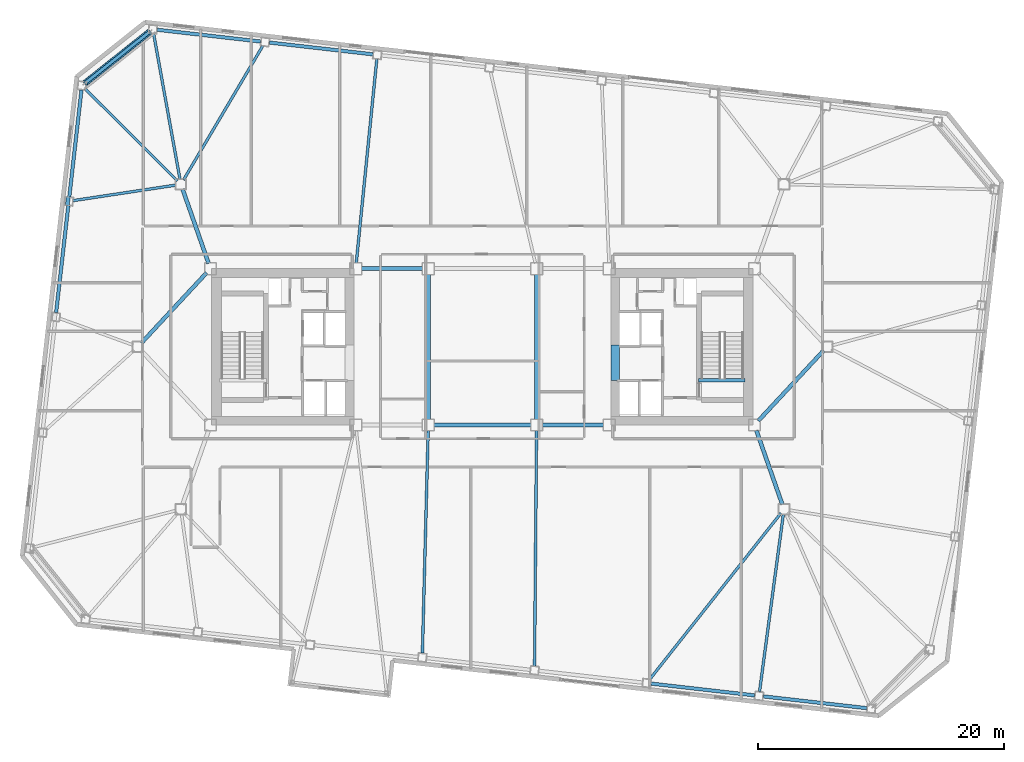
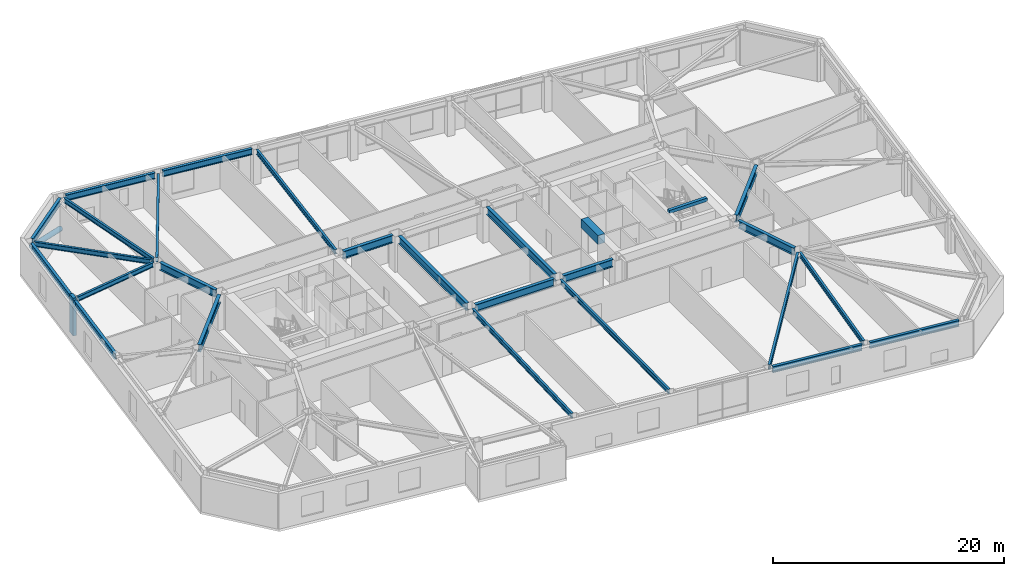
# One storey, part 4 of 19: 27 beams, 2 members.
"""IFC4 building model written with IfcOpenShell, lengths in metres."""

from ifc_helpers import new_model, si_unit, direction, frame, origin, origin_2d, place, context, subcontext, project, spatial, rectangle, hollow_circle, i_section, extrude, material, material_profile, profile_set, type_object, element, save


model = new_model("IFC4")

# Units and contexts
model_context = context("Model", 3, precision=1e-05, world=origin(), true_north=direction((0.0, 1.0)))
body_context = subcontext(model_context, "Body", "Model", "MODEL_VIEW")
ifc_project = project(units=[si_unit("LENGTHUNIT", "METRE"), si_unit("AREAUNIT", "SQUARE_METRE"), si_unit("VOLUMEUNIT", "CUBIC_METRE"), si_unit("PLANEANGLEUNIT", "RADIAN"), si_unit("MASSUNIT", "GRAM", prefix="KILO")], contexts=[model_context])

# Site, building, storey
site_placement = place(None, origin())
site = spatial("IfcSite", under=ifc_project, at=site_placement, CompositionType="ELEMENT")
building_placement = place(site_placement, origin())
building = spatial("IfcBuilding", under=site, at=building_placement, Name="Tavrogorsk Clinical Tower", CompositionType="ELEMENT")
storey_placement = place(building_placement, frame((0.0, 0.0, 101.39990234375)))
storey = spatial("IfcBuildingStorey", under=building, at=storey_placement, Name="L22", CompositionType="ELEMENT", Elevation=101.39990234375)

# Beam
ifc_material_1 = material(Name="Concrete B80", Category="concrete")
ifc_material_profile_1 = material_profile(ifc_material_1, rectangle(XDim=0.699951171875, YDim=0.949951171875, at=origin_2d()), Name="RC-CB-700x950")
ifc_profile_set_1 = profile_set([ifc_material_profile_1], Name="Concrete B80")
beam_type_1 = type_object("IfcBeamType", Name="CouplingBeam_RC700x950", PredefinedType="LINTEL", material=ifc_profile_set_1)
beam_1_placement = place(storey_placement, frame((10.800048828125, -2.75, 3.26513671875), z_axis=(0.0, 1.0, 0.0), x_axis=(-1.0, 0.0, 0.0)))
element("IfcBeam", 1, at=beam_1_placement, inside=storey, type_object=beam_type_1, Name="L22 Core East Coupling Beam", PredefinedType="LINTEL", context=body_context, shape_type="SweptSolid", body=[
    extrude(rectangle(XDim=0.699951171875, YDim=0.949951171875, at=origin_2d()), origin(), (0.0, 0.0, 1.0), 2.89990234375),
])

# Member
ifc_material_2 = material(Name="Structural steel S440", Category="steel")
ifc_material_profile_2 = material_profile(ifc_material_2, hollow_circle(Radius=0.25390625, WallThickness=0.02001953125, at=origin_2d()), Name="CHS-508x20")
ifc_profile_set_2 = profile_set([ifc_material_profile_2], Name="Structural steel S440")
member_type_1 = type_object("IfcMemberType", Name="ExoBrace_CHS508", PredefinedType="BRACE", material=ifc_profile_set_2)
member_1_placement = place(storey_placement, frame((-27.045654296875, 25.592041015625, 0.425048828125), z_axis=(-0.73336936718, -0.583326985798, 0.349140371371), x_axis=(0.622500682662, -0.782619256143, 0.0)))
element("IfcMember", 2, at=member_1_placement, inside=storey, type_object=member_type_1, Name="L22 Corner Exoskeleton Brace N8-W1", PredefinedType="BRACE", context=body_context, shape_type="SweptSolid", body=[
    extrude(hollow_circle(Radius=0.25390625, WallThickness=0.02001953125, at=origin_2d()), origin(), (0.0, 0.0, 1.0), 7.1318359375),
])

# Beams
ifc_material_3 = material(Name="Structural steel S355", Category="steel")
ifc_material_profile_3 = material_profile(ifc_material_3, i_section(OverallWidth=0.219970703125, OverallDepth=0.5, WebThickness=0.012939453125, FlangeThickness=0.02001953125, at=origin_2d()), Name="B-500x220x13x20")
ifc_profile_set_3 = profile_set([ifc_material_profile_3], Name="Structural steel S355")
beam_type_2 = type_object("IfcBeamType", Name="FloorBeam_B500", PredefinedType="BEAM", material=ifc_profile_set_3)
beam_2_placement = place(storey_placement, frame((-4.411865234375, -6.809814453125, 3.489990234375), z_axis=(-0.025907273598, -0.999664350257, 0.0), x_axis=(0.999664350257, -0.025907273598, 0.0)))
element("IfcBeam", 3, at=beam_2_placement, inside=storey, type_object=beam_type_2, Name="L22 Radial Floor Beam S4", PredefinedType="BEAM", context=body_context, shape_type="SweptSolid", body=[
    extrude(i_section(OverallWidth=0.219970703125, OverallDepth=0.5, WebThickness=0.012939453125, FlangeThickness=0.02001953125, at=origin_2d()), origin(), (0.0, 0.0, 1.0), 18.083984375),
])
beam_3_placement = place(storey_placement, frame((4.39599609375, -6.81005859375, 3.489990234375), z_axis=(-0.00859471964, -0.999963064715, 0.0), x_axis=(0.999963064715, -0.00859471964, 0.0)))
element("IfcBeam", 4, at=beam_3_placement, inside=storey, type_object=beam_type_2, Name="L22 Radial Floor Beam S5", PredefinedType="BEAM", context=body_context, shape_type="SweptSolid", body=[
    extrude(i_section(OverallWidth=0.219970703125, OverallDepth=0.5, WebThickness=0.012939453125, FlangeThickness=0.02001953125, at=origin_2d()), origin(), (0.0, 0.0, 1.0), 19.1171875),
])
beam_4_placement = place(storey_placement, frame((24.245849609375, -13.521728515625, 3.489990234375), z_axis=(-0.619757312108, -0.784793523221, 0.0), x_axis=(0.784793523221, -0.619757312108, 0.0)))
element("IfcBeam", 5, at=beam_4_placement, inside=storey, type_object=beam_type_2, Name="L22 Radial Floor Beam S6", PredefinedType="BEAM", context=body_context, shape_type="SweptSolid", body=[
    extrude(i_section(OverallWidth=0.219970703125, OverallDepth=0.5, WebThickness=0.012939453125, FlangeThickness=0.02001953125, at=origin_2d()), origin(), (0.0, 0.0, 1.0), 17.22802734375),
])
beam_5_placement = place(storey_placement, frame((24.445556640625, -13.6064453125, 3.489990234375), z_axis=(-0.133025440596, -0.991112623345, 0.0), x_axis=(0.991112623345, -0.133025440596, 0.0)))
element("IfcBeam", 6, at=beam_5_placement, inside=storey, type_object=beam_type_2, Name="L22 Radial Floor Beam S7", PredefinedType="BEAM", context=body_context, shape_type="SweptSolid", body=[
    extrude(i_section(OverallWidth=0.219970703125, OverallDepth=0.5, WebThickness=0.012939453125, FlangeThickness=0.02001953125, at=origin_2d()), origin(), (0.0, 0.0, 1.0), 14.530029296875),
])
beam_6_placement = place(storey_placement, frame((-10.25390625, 6.8076171875, 3.489990234375), z_axis=(0.100407035617, 0.994946444387, 0.0), x_axis=(-0.994946444387, 0.100407035617, 0.0)))
element("IfcBeam", 7, at=beam_6_placement, inside=storey, type_object=beam_type_2, Name="L22 Radial Floor Beam N6", PredefinedType="BEAM", context=body_context, shape_type="SweptSolid", body=[
    extrude(i_section(OverallWidth=0.219970703125, OverallDepth=0.5, WebThickness=0.012939453125, FlangeThickness=0.02001953125, at=origin_2d()), origin(), (0.0, 0.0, 1.0), 16.643798828125),
])
beam_7_placement = place(storey_placement, frame((-24.291259765625, 13.552978515625, 3.489990234375), z_axis=(0.508876748392, 0.86083938975, 0.0), x_axis=(-0.86083938975, 0.508876748392, 0.0)))
element("IfcBeam", 8, at=beam_7_placement, inside=storey, type_object=beam_type_2, Name="L22 Radial Floor Beam N7", PredefinedType="BEAM", context=body_context, shape_type="SweptSolid", body=[
    extrude(i_section(OverallWidth=0.219970703125, OverallDepth=0.5, WebThickness=0.012939453125, FlangeThickness=0.02001953125, at=origin_2d()), origin(), (0.0, 0.0, 1.0), 12.663330078125),
])
beam_8_placement = place(storey_placement, frame((-24.572998046875, 13.603515625, 3.489990234375), z_axis=(-0.178287530482, 0.983978432932, 0.0), x_axis=(-0.983978432932, -0.178287530482, 0.0)))
element("IfcBeam", 9, at=beam_8_placement, inside=storey, type_object=beam_type_2, Name="L22 Radial Floor Beam N8", PredefinedType="BEAM", context=body_context, shape_type="SweptSolid", body=[
    extrude(i_section(OverallWidth=0.219970703125, OverallDepth=0.5, WebThickness=0.012939453125, FlangeThickness=0.02001953125, at=origin_2d()), origin(), (0.0, 0.0, 1.0), 12.0380859375),
])
beam_9_placement = place(storey_placement, frame((-24.790283203125, 13.48974609375, 3.489990234375), z_axis=(-0.707775090959, 0.706437839175, 0.0), x_axis=(-0.706437839175, -0.707775090959, 0.0)))
element("IfcBeam", 10, at=beam_9_placement, inside=storey, type_object=beam_type_2, Name="L22 Radial Floor Beam W1", PredefinedType="BEAM", context=body_context, shape_type="SweptSolid", body=[
    extrude(i_section(OverallWidth=0.219970703125, OverallDepth=0.5, WebThickness=0.012939453125, FlangeThickness=0.02001953125, at=origin_2d()), origin(), (0.0, 0.0, 1.0), 10.589111328125),
])
beam_10_placement = place(storey_placement, frame((-24.905517578125, 13.138671875, 3.489990234375), z_axis=(-0.98878314082, -0.149358295482, 0.0), x_axis=(0.149358295482, -0.98878314082, 0.0)))
element("IfcBeam", 11, at=beam_10_placement, inside=storey, type_object=beam_type_2, Name="L22 Radial Floor Beam W2", PredefinedType="BEAM", context=body_context, shape_type="SweptSolid", body=[
    extrude(i_section(OverallWidth=0.219970703125, OverallDepth=0.5, WebThickness=0.012939453125, FlangeThickness=0.02001953125, at=origin_2d()), origin(), (0.0, 0.0, 1.0), 8.4443359375),
])

# Member
ifc_material_4 = material(Name="Precast concrete B45 with limestone cladding", Category="masonry")
ifc_material_profile_4 = material_profile(ifc_material_4, rectangle(XDim=0.320068359375, YDim=0.719970703125, at=origin_2d()), Name="LIMESTONE-FIN-320x720")
ifc_profile_set_4 = profile_set([ifc_material_profile_4], Name="Precast concrete B45 with limestone cladding")
member_type_2 = type_object("IfcMemberType", Name="LimestonePleatFin_320x720", PredefinedType="USERDEFINED", material=ifc_profile_set_4)
member_2_placement = place(storey_placement, frame((-33.688720703125, 11.8330078125, 0.0), z_axis=(0.0, 0.0, 1.0), x_axis=(0.993571855677, -0.113203213768, 0.0)))
element("IfcMember", 12, at=member_2_placement, inside=storey, type_object=member_type_2, Name="L22 W Pleated Stone Fin 1", ObjectType="FIN", PredefinedType="USERDEFINED", context=body_context, shape_type="SweptSolid", body=[
    extrude(rectangle(XDim=0.320068359375, YDim=0.719970703125, at=origin_2d()), origin(), (0.0, 0.0, 1.0), 4.0),
])

# Beams
ifc_material_5 = material(Name="Structural steel S390", Category="steel")
ifc_material_profile_5 = material_profile(ifc_material_5, i_section(OverallWidth=0.320068359375, OverallDepth=0.800048828125, WebThickness=0.02001953125, FlangeThickness=0.033935546875, at=origin_2d()), Name="B-800x320x20x34")
ifc_profile_set_5 = profile_set([ifc_material_profile_5], Name="Structural steel S390")
beam_type_3 = type_object("IfcBeamType", Name="PrimaryGirder_B800", PredefinedType="USERDEFINED", material=ifc_profile_set_5)
beam_11_placement = place(storey_placement, frame((-9.840087890625, 6.35009765625, 3.340087890625), z_axis=(1.0, 0.0, 0.0), x_axis=(0.0, 1.0, 0.0)))
element("IfcBeam", 13, at=beam_11_placement, inside=storey, type_object=beam_type_3, Name="L22 Primary Spine Girder MG-02", ObjectType="GIRDER", PredefinedType="USERDEFINED", context=body_context, shape_type="SweptSolid", body=[
    extrude(i_section(OverallWidth=0.320068359375, OverallDepth=0.800048828125, WebThickness=0.02001953125, FlangeThickness=0.033935546875, at=origin_2d()), origin(), (0.0, 0.0, 1.0), 4.97998046875),
])
beam_12_placement = place(storey_placement, frame((-3.93994140625, -6.35009765625, 3.340087890625), z_axis=(1.0, 0.0, 0.0), x_axis=(0.0, 1.0, 0.0)))
element("IfcBeam", 14, at=beam_12_placement, inside=storey, type_object=beam_type_3, Name="L22 Primary Spine Girder MG-03", ObjectType="GIRDER", PredefinedType="USERDEFINED", context=body_context, shape_type="SweptSolid", body=[
    extrude(i_section(OverallWidth=0.320068359375, OverallDepth=0.800048828125, WebThickness=0.02001953125, FlangeThickness=0.033935546875, at=origin_2d()), origin(), (0.0, 0.0, 1.0), 7.8798828125),
])
beam_13_placement = place(storey_placement, frame((4.860107421875, -6.35009765625, 3.340087890625), z_axis=(1.0, 0.0, 0.0), x_axis=(0.0, 1.0, 0.0)))
element("IfcBeam", 15, at=beam_13_placement, inside=storey, type_object=beam_type_3, Name="L22 Primary Spine Girder MG-05", ObjectType="GIRDER", PredefinedType="USERDEFINED", context=body_context, shape_type="SweptSolid", body=[
    extrude(i_section(OverallWidth=0.320068359375, OverallDepth=0.800048828125, WebThickness=0.02001953125, FlangeThickness=0.033935546875, at=origin_2d()), origin(), (0.0, 0.0, 1.0), 4.97998046875),
])
for number, where, z_axis, x_axis, name in (
    (16, (-4.39990234375, -5.889892578125, 3.340087890625), (0.0, 1.0, 0.0), (-1.0, 0.0, 0.0), "L22 Primary Spine Girder MG-07"),
    (17, (4.39990234375, -5.889892578125, 3.340087890625), (0.0, 1.0, 0.0), (-1.0, 0.0, 0.0), "L22 Primary Spine Girder MG-08"),
):
    element("IfcBeam", number, at=place(storey_placement, frame(where, z_axis=z_axis, x_axis=x_axis)), inside=storey, type_object=beam_type_3, Name=name, ObjectType="GIRDER", PredefinedType="USERDEFINED", context=body_context, shape_type="SweptSolid", body=[
        extrude(i_section(OverallWidth=0.320068359375, OverallDepth=0.800048828125, WebThickness=0.02001953125, FlangeThickness=0.033935546875, at=origin_2d()), origin(), (0.0, 0.0, 1.0), 11.77978515625),
    ])
for number, where, z_axis, x_axis, name in (
    (18, (24.364501953125, -12.81298828125, 3.340087890625), (-0.330660234815, 0.943749865755, 0.0), (-0.943749865755, -0.330660234815, 0.0), "L22 Spine Link Girder OPG-2"),
    (19, (-24.364501953125, 12.81298828125, 3.340087890625), (0.330660234815, -0.943749865755, 0.0), (0.943749865755, 0.330660234815, 0.0), "L22 Spine Link Girder OPG-3"),
):
    element("IfcBeam", number, at=place(storey_placement, frame(where, z_axis=z_axis, x_axis=x_axis)), inside=storey, type_object=beam_type_3, Name=name, ObjectType="GIRDER", PredefinedType="USERDEFINED", context=body_context, shape_type="SweptSolid", body=[
        extrude(i_section(OverallWidth=0.320068359375, OverallDepth=0.800048828125, WebThickness=0.02001953125, FlangeThickness=0.033935546875, at=origin_2d()), origin(), (0.0, 0.0, 1.0), 6.38818359375),
    ])
for number, where, z_axis, x_axis, name in (
    (20, (-27.720947265625, 0.30029296875, 3.340087890625), (0.680675630035, 0.732584934787, 0.0), (-0.732584934787, 0.680675630035, 0.0), "L22 Spine Link Girder OPG-6"),
    (21, (27.720947265625, -0.30029296875, 3.340087890625), (-0.680675630035, -0.732584934787, 0.0), (0.732584934787, -0.680675630035, 0.0), "L22 Spine Link Girder OPG-7"),
):
    element("IfcBeam", number, at=place(storey_placement, frame(where, z_axis=z_axis, x_axis=x_axis)), inside=storey, type_object=beam_type_3, Name=name, ObjectType="GIRDER", PredefinedType="USERDEFINED", context=body_context, shape_type="SweptSolid", body=[
        extrude(i_section(OverallWidth=0.320068359375, OverallDepth=0.800048828125, WebThickness=0.02001953125, FlangeThickness=0.033935546875, at=origin_2d()), origin(), (0.0, 0.0, 1.0), 7.7978515625),
    ])
ifc_material_6 = material(Name="Structural steel S390", Category="steel")
ifc_material_profile_6 = material_profile(ifc_material_6, i_section(OverallWidth=0.280029296875, OverallDepth=0.64990234375, WebThickness=0.01611328125, FlangeThickness=0.02490234375, at=origin_2d()), Name="B-650x280x16x25")
ifc_profile_set_6 = profile_set([ifc_material_profile_6], Name="Structural steel S390")
beam_type_4 = type_object("IfcBeamType", Name="SpandrelBeam_B650", PredefinedType="SPANDREL", material=ifc_profile_set_6)
beam_14_placement = place(storey_placement, frame((13.702392578125, -27.36376953125, 3.4150390625), z_axis=(0.993569819641, -0.113221082395, 0.0), x_axis=(0.113221082395, 0.993569819641, 0.0)))
element("IfcBeam", 22, at=beam_14_placement, inside=storey, type_object=beam_type_4, Name="L22 Perimeter Spandrel S6-S7", PredefinedType="SPANDREL", context=body_context, shape_type="SweptSolid", body=[
    extrude(i_section(OverallWidth=0.280029296875, OverallDepth=0.64990234375, WebThickness=0.01611328125, FlangeThickness=0.02490234375, at=origin_2d()), origin(), (0.0, 0.0, 1.0), 8.46142578125),
])
beam_15_placement = place(storey_placement, frame((22.82080078125, -28.40283203125, 3.4150390625), z_axis=(0.99357232562, -0.113199089054, 0.0), x_axis=(0.113199089054, 0.99357232562, 0.0)))
element("IfcBeam", 23, at=beam_15_placement, inside=storey, type_object=beam_type_4, Name="L22 Perimeter Spandrel S7-S8", PredefinedType="SPANDREL", context=body_context, shape_type="SweptSolid", body=[
    extrude(i_section(OverallWidth=0.280029296875, OverallDepth=0.64990234375, WebThickness=0.01611328125, FlangeThickness=0.02490234375, at=origin_2d()), origin(), (0.0, 0.0, 1.0), 8.4609375),
])
for number, where, z_axis, x_axis, name in (
    (24, (-8.902587890625, 23.763916015625, 3.4150390625), (-0.993572695356, 0.113195843756, 0.0), (-0.113195843756, -0.993572695356, 0.0), "L22 Perimeter Spandrel N6-N7"),
    (25, (-18.020751953125, 24.802734375, 3.4150390625), (-0.993572695356, 0.113195843756, 0.0), (-0.113195843756, -0.993572695356, 0.0), "L22 Perimeter Spandrel N7-N8"),
):
    element("IfcBeam", number, at=place(storey_placement, frame(where, z_axis=z_axis, x_axis=x_axis)), inside=storey, type_object=beam_type_4, Name=name, PredefinedType="SPANDREL", context=body_context, shape_type="SweptSolid", body=[
        extrude(i_section(OverallWidth=0.280029296875, OverallDepth=0.64990234375, WebThickness=0.01611328125, FlangeThickness=0.02490234375, at=origin_2d()), origin(), (0.0, 0.0, 1.0), 8.461181640625),
    ])
beam_16_placement = place(storey_placement, frame((-27.063232421875, 25.578125, 3.4150390625), z_axis=(-0.782613271493, -0.622508206599, 0.0), x_axis=(0.622508206599, -0.782613271493, 0.0)))
element("IfcBeam", 26, at=beam_16_placement, inside=storey, type_object=beam_type_4, Name="L22 Perimeter Spandrel N8-W1", PredefinedType="SPANDREL", context=body_context, shape_type="SweptSolid", body=[
    extrude(i_section(OverallWidth=0.280029296875, OverallDepth=0.64990234375, WebThickness=0.01611328125, FlangeThickness=0.02490234375, at=origin_2d()), origin(), (0.0, 0.0, 1.0), 6.6376953125),
])
for number, where, z_axis, x_axis, name in (
    (27, (-32.578857421875, 20.867431640625, 3.4150390625), (-0.113192226434, -0.993573107464, 0.0), (0.993573107464, -0.113192226434, 0.0), "L22 Perimeter Spandrel W1-W2"),
    (28, (-33.649658203125, 11.46826171875, 3.4150390625), (-0.113219789686, -0.993569966949, 0.0), (0.993569966949, -0.113219789686, 0.0), "L22 Perimeter Spandrel W2-W3"),
):
    element("IfcBeam", number, at=place(storey_placement, frame(where, z_axis=z_axis, x_axis=x_axis)), inside=storey, type_object=beam_type_4, Name=name, PredefinedType="SPANDREL", context=body_context, shape_type="SweptSolid", body=[
        extrude(i_section(OverallWidth=0.280029296875, OverallDepth=0.64990234375, WebThickness=0.01611328125, FlangeThickness=0.02490234375, at=origin_2d()), origin(), (0.0, 0.0, 1.0), 8.743896484375),
    ])
ifc_material_7 = material(Name="Concrete B60", Category="concrete")
ifc_material_profile_7 = material_profile(ifc_material_7, rectangle(XDim=0.300048828125, YDim=0.35009765625, at=origin_2d()), Name="RC-SHB-300x350")
ifc_profile_set_7 = profile_set([ifc_material_profile_7], Name="Concrete B60")
beam_type_5 = type_object("IfcBeamType", Name="StairHeaderBeam_RC300x350", PredefinedType="BEAM", material=ifc_profile_set_7)
beam_17_placement = place(storey_placement, frame((17.550048828125, -2.719970703125, 3.8251953125), z_axis=(1.0, 0.0, 0.0), x_axis=(0.0, 1.0, 0.0)))
element("IfcBeam", 29, at=beam_17_placement, inside=storey, type_object=beam_type_5, Name="L23 ST-E Landing Header Beam", PredefinedType="BEAM", context=body_context, shape_type="SweptSolid", body=[
    extrude(rectangle(XDim=0.300048828125, YDim=0.35009765625, at=origin_2d()), origin(), (0.0, 0.0, 1.0), 3.800048828125),
])

save(model, "model.ifc")
